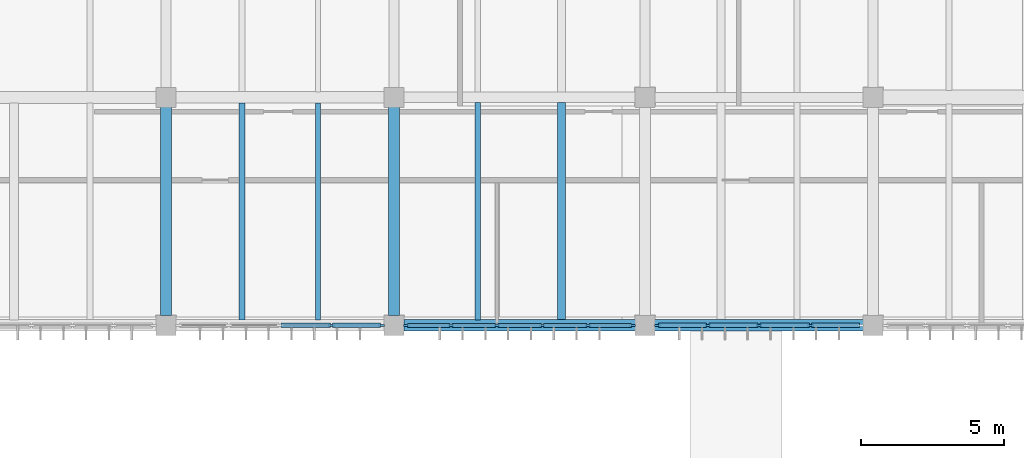
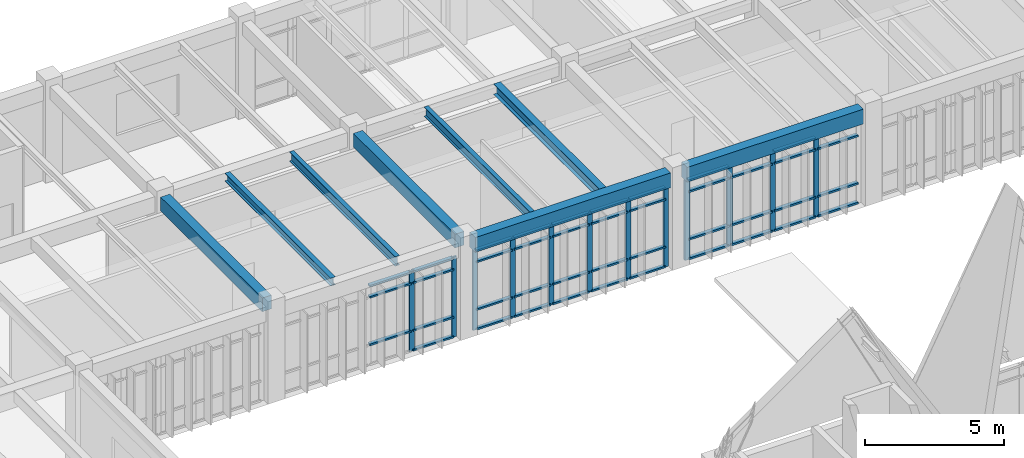
# One storey, part 9 of 72: 54 members, 8 beams, 3 elements without a shape of their own.
"""IFC4 building model written with IfcOpenShell, lengths in metres."""

import ifcopenshell
import ifcopenshell.guid

model = None  # the IFC model being written
_history = None  # IfcOwnerHistory: only IFC2X3 demands one
_inside = {}  # id of a spatial element -> (the spatial element, [elements in it])
_under = {}  # id of a project, library or spatial element -> (it, [spatial elements below it])
_declared = {}  # id of a project -> (the project, [libraries it declares])
_typed = {}  # id of a type object -> (the type object, [elements of that type])
_made_of = {}  # id of a material, layer set ... -> (it, [elements and type objects made of it])


def new_model(schema):
    """Start an empty IFC model of exactly this schema.

    Asked for "IFC4X3", IfcOpenShell would pick the latest addendum, in which some entities
    have other attributes; the version numbers below select the first issue.
    IFC2X3 requires an IfcOwnerHistory on every rooted entity: one is made here for all.
    """
    global model, _history
    if schema == "IFC4X3":
        model = ifcopenshell.file(schema_version=(4, 3, 0, 0))
    else:
        model = ifcopenshell.file(schema=schema)
    _inside.clear()
    _under.clear()
    _declared.clear()
    _typed.clear()
    _made_of.clear()
    _history = None
    if model.schema == "IFC2X3":
        org = make("IfcOrganization", Name="unknown")
        user = make(
            "IfcPersonAndOrganization",
            ThePerson=make("IfcPerson", FamilyName="unknown"),
            TheOrganization=org,
        )
        app = make(
            "IfcApplication",
            ApplicationDeveloper=org,
            Version="unknown",
            ApplicationFullName="unknown",
            ApplicationIdentifier="unknown",
        )
        _history = make(
            "IfcOwnerHistory",
            OwningUser=user,
            OwningApplication=app,
            ChangeAction="ADDED",
            CreationDate=0,
        )
    return model


def make(cls, **values):
    """One entity of the class cls with the attributes given. An attribute that is None is left unset."""
    return model.create_entity(
        cls, **{name: value for name, value in values.items() if value is not None}
    )


def rooted(cls, **values):
    """An entity with a GlobalId (a new one), such as an element, a storey or a relation."""
    return make(cls, GlobalId=ifcopenshell.guid.new(), OwnerHistory=_history, **values)


def si_unit(unit_type, name, prefix=None):
    """IfcSIUnit, for example si_unit("LENGTHUNIT", "METRE", prefix="MILLI")."""
    return make("IfcSIUnit", UnitType=unit_type, Prefix=prefix, Name=name)


def assignment(units):
    """IfcUnitAssignment: the units of a project."""
    return None if units is None else make("IfcUnitAssignment", Units=units)


def point(xyz):
    """IfcCartesianPoint."""
    return None if xyz is None else make("IfcCartesianPoint", Coordinates=xyz)


def direction(xyz):
    """IfcDirection."""
    return None if xyz is None else make("IfcDirection", DirectionRatios=xyz)


def frame(location, z_axis=None, x_axis=None):
    """IfcAxis2Placement3D, a coordinate frame: its origin and axes. An axis left out is left unset."""
    return make(
        "IfcAxis2Placement3D",
        Location=point(location),
        Axis=direction(z_axis),
        RefDirection=direction(x_axis),
    )


def frame_2d(location, x_axis=None):
    """IfcAxis2Placement2D, a coordinate frame in the plane: its origin and x axis."""
    return make(
        "IfcAxis2Placement2D", Location=point(location), RefDirection=direction(x_axis)
    )


def origin():
    """The frame at (0, 0, 0) with its axes left unset."""
    return frame((0.0, 0.0, 0.0))


def origin_2d():
    """The frame at (0, 0) in the plane with its x axis left unset."""
    return frame_2d((0.0, 0.0))


def place(relative_to, where):
    """IfcLocalPlacement: puts the frame where relative to a parent placement (None: the world)."""
    return make(
        "IfcLocalPlacement", PlacementRelTo=relative_to, RelativePlacement=where
    )


def context(
    kind, dimensions, precision=None, world=None, true_north=None, identifier=None
):
    """IfcGeometricRepresentationContext, for example the 3D "Model" context."""
    return make(
        "IfcGeometricRepresentationContext",
        ContextIdentifier=identifier,
        ContextType=kind,
        CoordinateSpaceDimension=dimensions,
        Precision=precision,
        WorldCoordinateSystem=world,
        TrueNorth=true_north,
    )


def subcontext(parent, identifier, kind, view, scale=None):
    """IfcGeometricRepresentationSubContext, for example "Body" below "Model"."""
    return make(
        "IfcGeometricRepresentationSubContext",
        ContextIdentifier=identifier,
        ContextType=kind,
        ParentContext=parent,
        TargetScale=scale,
        TargetView=view,
    )


def project(units=None, contexts=None):
    """IfcProject with its units and contexts."""
    return rooted(
        "IfcProject",
        Name="project",
        RepresentationContexts=contexts,
        UnitsInContext=assignment(units),
    )


def spatial(cls, under=None, at=None, **own):
    """A site, building, storey or space (cls), placed at a placement, below another one or the project."""
    s = rooted(cls, ObjectPlacement=at, **own)
    if under is not None:
        _under.setdefault(under.id(), (under, []))[1].append(s)
    return s


def profile(cls, at=None, kind="AREA", **sizes):
    """A parametric profile (cls). Its sizes go by their IFC names, for example OverallWidth=200.0."""
    return make(cls, ProfileType=kind, Position=at, **sizes)


def rectangle(**sizes):
    """IfcRectangleProfileDef."""
    return profile("IfcRectangleProfileDef", **sizes)


def i_section(**sizes):
    """IfcIShapeProfileDef."""
    return profile("IfcIShapeProfileDef", **sizes)


def extrude(swept, where, along, depth):
    """IfcExtrudedAreaSolid: the profile swept, set in the frame where, extruded along a direction by depth."""
    return make(
        "IfcExtrudedAreaSolid",
        SweptArea=swept,
        Position=where,
        ExtrudedDirection=direction(along),
        Depth=depth,
    )


def shape(context_of_items, identifier, shape_type, items):
    """IfcShapeRepresentation: the items that make up one representation, for example the "Body"."""
    return make(
        "IfcShapeRepresentation",
        ContextOfItems=context_of_items,
        RepresentationIdentifier=identifier,
        RepresentationType=shape_type,
        Items=items,
    )


def material(Name=None, Category=None):
    """IfcMaterial."""
    return make("IfcMaterial", Name=Name, Category=Category)


def material_profile(
    of_material, cross_section, Name=None, Category=None, Priority=None
):
    """IfcMaterialProfile: a cross section and its material."""
    return make(
        "IfcMaterialProfile",
        Name=Name,
        Material=of_material,
        Profile=cross_section,
        Priority=Priority,
        Category=Category,
    )


def profile_set(profiles, Name=None, composite=None):
    """IfcMaterialProfileSet."""
    return make(
        "IfcMaterialProfileSet",
        Name=Name,
        MaterialProfiles=profiles,
        CompositeProfile=composite,
    )


def made_of(thing, what):
    """Note that an element or type object is made of a material, layer set ...; save() writes the relation."""
    if what is not None:
        _made_of.setdefault(what.id(), (what, []))[1].append(thing)
    return thing


def type_object(cls, material=None, **own):
    """A type object (cls), such as IfcWallType, which elements share."""
    return made_of(rooted(cls, **own), material)


def element(
    cls,
    number,
    at=None,
    inside=None,
    cuts=None,
    type_object=None,
    material=None,
    context=None,
    identifier="Body",
    shape_type=None,
    held_by="IfcProductDefinitionShape",
    body=None,
    shapes=None,
    **own,
):
    """One element of the class cls, such as IfcWall. Its Tag is "e" and its number.

    at: its placement. inside: the storey or other place that contains it. cuts: it is an
    opening in that element (IfcRelVoidsElement). A single representation is given by context,
    identifier, shape_type and body (its items); several are given by shapes. held_by: the class
    of the entity that holds the representations. save() writes the other relations.
    """
    e = rooted(cls, Tag="e%d" % number, ObjectPlacement=at, **own)
    if body is not None:
        shapes = [shape(context, identifier, shape_type, body)]
    if shapes is not None:
        e.Representation = make(held_by, Representations=shapes)
    if inside is not None:
        _inside.setdefault(inside.id(), (inside, []))[1].append(e)
    if cuts is not None:
        rooted(
            "IfcRelVoidsElement", RelatingBuildingElement=cuts, RelatedOpeningElement=e
        )
    if type_object is not None:
        _typed.setdefault(type_object.id(), (type_object, []))[1].append(e)
    return made_of(e, material)


def aggregate(whole, parts):
    """IfcRelAggregates: a whole, such as a stair, and the parts it consists of."""
    return rooted("IfcRelAggregates", RelatingObject=whole, RelatedObjects=parts)


def save(model, path):
    """Write the relations noted so far, then the file.

    IfcRelAggregates (storeys below a building ...), IfcRelContainedInSpatialStructure (elements
    in a storey), IfcRelDefinesByType, IfcRelAssociatesMaterial and IfcRelDeclares: one each for
    every whole, place, type object, material and project.
    """
    for whole, parts in _under.values():
        aggregate(whole, parts)
    for where, things in _inside.values():
        rooted(
            "IfcRelContainedInSpatialStructure",
            RelatedElements=things,
            RelatingStructure=where,
        )
    for kind, things in _typed.values():
        rooted("IfcRelDefinesByType", RelatedObjects=things, RelatingType=kind)
    for what, things in _made_of.values():
        rooted("IfcRelAssociatesMaterial", RelatedObjects=things, RelatingMaterial=what)
    for by, libraries in _declared.values():
        rooted("IfcRelDeclares", RelatingContext=by, RelatedDefinitions=libraries)
    model.write(path)


model = new_model("IFC4")

# Units and contexts
model_context = context("Model", 3, precision=1e-05, world=origin(), true_north=direction((0.0, 1.0)))
body_context = subcontext(model_context, "Body", "Model", "MODEL_VIEW")
ifc_project = project(units=[si_unit("LENGTHUNIT", "METRE"), si_unit("AREAUNIT", "SQUARE_METRE"), si_unit("VOLUMEUNIT", "CUBIC_METRE"), si_unit("PLANEANGLEUNIT", "RADIAN"), si_unit("MASSUNIT", "GRAM", prefix="KILO")], contexts=[model_context])

# Site, building, storey
site_placement = place(None, origin())
site = spatial("IfcSite", under=ifc_project, at=site_placement, CompositionType="ELEMENT")
building_placement = place(site_placement, origin())
building = spatial("IfcBuilding", under=site, at=building_placement, Name="Tlaxcora Railside Police Headquarters", CompositionType="ELEMENT")
storey_placement = place(building_placement, frame((0.0, 0.0, 13.5)))
storey = spatial("IfcBuildingStorey", under=building, at=storey_placement, Name="L03", CompositionType="ELEMENT", Elevation=13.5)

# Curtain wall, members
ifc_material_1 = material(Name="Thermally broken low-E insulated glazing", Category="glass")
curtain_wall_type_1 = type_object("IfcCurtainWallType", Name="Unitised Curtain Wall Assembly CW-38", PredefinedType="NOTDEFINED", material=ifc_material_1)
curtain_wall_1_placement = place(storey_placement, origin())
curtain_wall_1 = element("IfcCurtainWall", 1, at=curtain_wall_1_placement, inside=storey, type_object=curtain_wall_type_1, Name="V5 L03 curtain wall 73", PredefinedType="NOTDEFINED")
ifc_material_2 = material(Name="Anodised aluminium framing", Category="aluminium")
ifc_material_profile_1 = material_profile(ifc_material_2, rectangle(XDim=0.074951171875, YDim=0.205078125, at=origin_2d()), Name="AL75X205")
ifc_profile_set_1 = profile_set([ifc_material_profile_1], Name="Anodised aluminium framing")
member_type_1 = type_object("IfcMemberType", Name="Curtain Wall Mullion CW-32", PredefinedType="MULLION", material=ifc_profile_set_1)
member_1_placement = place(storey_placement, frame((43.0, 76.800048828125, 0.0), z_axis=(0.0, 0.0, 1.0), x_axis=(0.0, 1.0, 0.0)))
member_1 = element("IfcMember", 2, at=member_1_placement, type_object=member_type_1, Name="CW mullion 4", PredefinedType="MULLION", context=body_context, shape_type="SweptSolid", body=[
    extrude(rectangle(XDim=0.074951171875, YDim=0.205078125, at=origin_2d()), origin(), (0.0, 0.0, 1.0), 3.52001953125),
])
member_2_placement = place(storey_placement, frame((44.762451171875, 76.800048828125, 0.0), z_axis=(0.0, 0.0, 1.0), x_axis=(0.0, 1.0, 0.0)))
member_2 = element("IfcMember", 3, at=member_2_placement, type_object=member_type_1, Name="CW mullion 5", PredefinedType="MULLION", context=body_context, shape_type="SweptSolid", body=[
    extrude(rectangle(XDim=0.074951171875, YDim=0.205078125, at=origin_2d()), origin(), (0.0, 0.0, 1.0), 3.52001953125),
])

curtain_wall_type_2 = type_object("IfcCurtainWallType", Name="Unitised Curtain Wall Assembly CW-15", PredefinedType="NOTDEFINED", material=ifc_material_1)
curtain_wall_2_placement = place(storey_placement, origin())
curtain_wall_2 = element("IfcCurtainWall", 4, at=curtain_wall_2_placement, inside=storey, type_object=curtain_wall_type_2, Name="V5 L03 curtain wall 74", PredefinedType="NOTDEFINED")
ifc_material_profile_2 = material_profile(ifc_material_2, rectangle(XDim=0.074951171875, YDim=0.199951171875, at=origin_2d()), Name="AL75X200")
ifc_profile_set_2 = profile_set([ifc_material_profile_2], Name="Anodised aluminium framing")
member_type_2 = type_object("IfcMemberType", Name="Curtain Wall Mullion CW-58", PredefinedType="MULLION", material=ifc_profile_set_2)
member_3_placement = place(storey_placement, frame((45.637451171875, 76.800048828125, 0.0), z_axis=(0.0, 0.0, 1.0), x_axis=(0.0, 1.0, 0.0)))
member_3 = element("IfcMember", 5, at=member_3_placement, type_object=member_type_2, Name="CW mullion 1", PredefinedType="MULLION", context=body_context, shape_type="SweptSolid", body=[
    extrude(rectangle(XDim=0.074951171875, YDim=0.199951171875, at=origin_2d()), origin(), (0.0, 0.0, 1.0), 3.52001953125),
])
member_4_placement = place(storey_placement, frame((47.199951171875, 76.800048828125, 0.0), z_axis=(0.0, 0.0, 1.0), x_axis=(0.0, 1.0, 0.0)))
member_4 = element("IfcMember", 6, at=member_4_placement, type_object=member_type_2, Name="CW mullion 2", PredefinedType="MULLION", context=body_context, shape_type="SweptSolid", body=[
    extrude(rectangle(XDim=0.074951171875, YDim=0.199951171875, at=origin_2d()), origin(), (0.0, 0.0, 1.0), 3.52001953125),
])
member_5_placement = place(storey_placement, frame((48.800048828125, 76.800048828125, 0.0), z_axis=(0.0, 0.0, 1.0), x_axis=(0.0, 1.0, 0.0)))
member_5 = element("IfcMember", 7, at=member_5_placement, type_object=member_type_2, Name="CW mullion 3", PredefinedType="MULLION", context=body_context, shape_type="SweptSolid", body=[
    extrude(rectangle(XDim=0.074951171875, YDim=0.199951171875, at=origin_2d()), origin(), (0.0, 0.0, 1.0), 3.52001953125),
])
member_6_placement = place(storey_placement, frame((50.39990234375, 76.800048828125, 0.0), z_axis=(0.0, 0.0, 1.0), x_axis=(0.0, 1.0, 0.0)))
member_6 = element("IfcMember", 8, at=member_6_placement, type_object=member_type_2, Name="CW mullion 4", PredefinedType="MULLION", context=body_context, shape_type="SweptSolid", body=[
    extrude(rectangle(XDim=0.074951171875, YDim=0.199951171875, at=origin_2d()), origin(), (0.0, 0.0, 1.0), 3.52001953125),
])
member_7_placement = place(storey_placement, frame((52.0, 76.800048828125, 0.0), z_axis=(0.0, 0.0, 1.0), x_axis=(0.0, 1.0, 0.0)))
member_7 = element("IfcMember", 9, at=member_7_placement, type_object=member_type_2, Name="CW mullion 5", PredefinedType="MULLION", context=body_context, shape_type="SweptSolid", body=[
    extrude(rectangle(XDim=0.074951171875, YDim=0.199951171875, at=origin_2d()), origin(), (0.0, 0.0, 1.0), 3.52001953125),
])
member_8_placement = place(storey_placement, frame((53.5625, 76.800048828125, 0.0), z_axis=(0.0, 0.0, 1.0), x_axis=(0.0, 1.0, 0.0)))
member_8 = element("IfcMember", 10, at=member_8_placement, type_object=member_type_2, Name="CW mullion 6", PredefinedType="MULLION", context=body_context, shape_type="SweptSolid", body=[
    extrude(rectangle(XDim=0.074951171875, YDim=0.199951171875, at=origin_2d()), origin(), (0.0, 0.0, 1.0), 3.52001953125),
])

curtain_wall_type_3 = type_object("IfcCurtainWallType", Name="Unitised Curtain Wall Assembly CW-83", PredefinedType="NOTDEFINED", material=ifc_material_1)
curtain_wall_3_placement = place(storey_placement, origin())
curtain_wall_3 = element("IfcCurtainWall", 11, at=curtain_wall_3_placement, inside=storey, type_object=curtain_wall_type_3, Name="V5 L03 curtain wall 75", PredefinedType="NOTDEFINED")
ifc_material_profile_3 = material_profile(ifc_material_2, rectangle(XDim=0.080078125, YDim=0.2099609375, at=origin_2d()), Name="AL80X210")
ifc_profile_set_3 = profile_set([ifc_material_profile_3], Name="Anodised aluminium framing")
member_type_3 = type_object("IfcMemberType", Name="Curtain Wall Mullion CW-76", PredefinedType="MULLION", material=ifc_profile_set_3)
member_9_placement = place(storey_placement, frame((54.43994140625, 76.800048828125, 0.0), z_axis=(0.0, 0.0, 1.0), x_axis=(0.0, 1.0, 0.0)))
member_9 = element("IfcMember", 12, at=member_9_placement, type_object=member_type_3, Name="CW mullion 1", PredefinedType="MULLION", context=body_context, shape_type="SweptSolid", body=[
    extrude(rectangle(XDim=0.080078125, YDim=0.2099609375, at=origin_2d()), origin(), (0.0, 0.0, 1.0), 3.52001953125),
])
member_10_placement = place(storey_placement, frame((56.199951171875, 76.800048828125, 0.0), z_axis=(0.0, 0.0, 1.0), x_axis=(0.0, 1.0, 0.0)))
member_10 = element("IfcMember", 13, at=member_10_placement, type_object=member_type_3, Name="CW mullion 2", PredefinedType="MULLION", context=body_context, shape_type="SweptSolid", body=[
    extrude(rectangle(XDim=0.080078125, YDim=0.2099609375, at=origin_2d()), origin(), (0.0, 0.0, 1.0), 3.52001953125),
])
member_11_placement = place(storey_placement, frame((58.0, 76.800048828125, 0.0), z_axis=(0.0, 0.0, 1.0), x_axis=(0.0, 1.0, 0.0)))
member_11 = element("IfcMember", 14, at=member_11_placement, type_object=member_type_3, Name="CW mullion 3", PredefinedType="MULLION", context=body_context, shape_type="SweptSolid", body=[
    extrude(rectangle(XDim=0.080078125, YDim=0.2099609375, at=origin_2d()), origin(), (0.0, 0.0, 1.0), 3.52001953125),
])
member_12_placement = place(storey_placement, frame((59.800048828125, 76.800048828125, 0.0), z_axis=(0.0, 0.0, 1.0), x_axis=(0.0, 1.0, 0.0)))
member_12 = element("IfcMember", 15, at=member_12_placement, type_object=member_type_3, Name="CW mullion 4", PredefinedType="MULLION", context=body_context, shape_type="SweptSolid", body=[
    extrude(rectangle(XDim=0.080078125, YDim=0.2099609375, at=origin_2d()), origin(), (0.0, 0.0, 1.0), 3.52001953125),
])

# Member
ifc_material_profile_4 = material_profile(ifc_material_2, rectangle(XDim=0.14990234375, YDim=0.074951171875, at=origin_2d()), Name="AL75X150")
ifc_profile_set_4 = profile_set([ifc_material_profile_4], Name="Anodised aluminium framing")
member_type_4 = type_object("IfcMemberType", Name="Curtain Wall Transom CW-28", PredefinedType="USERDEFINED", material=ifc_profile_set_4)
member_13_placement = place(storey_placement, frame((45.675048828125, 76.800048828125, 0.03759765625), z_axis=(1.0, 0.0, 0.0), x_axis=(0.0, 1.0, 0.0)))
member_13 = element("IfcMember", 16, at=member_13_placement, type_object=member_type_4, Name="CW transom 1.1", ObjectType="TRANSOM", PredefinedType="USERDEFINED", context=body_context, shape_type="SweptSolid", body=[
    extrude(rectangle(XDim=0.14990234375, YDim=0.074951171875, at=origin_2d()), origin(), (0.0, 0.0, 1.0), 1.487548828125),
])

member_14_placement = place(storey_placement, frame((45.675048828125, 76.800048828125, 0.89990234375), z_axis=(1.0, 0.0, 0.0), x_axis=(0.0, 1.0, 0.0)))
member_14 = element("IfcMember", 17, at=member_14_placement, type_object=member_type_4, Name="CW transom 1.2", ObjectType="TRANSOM", PredefinedType="USERDEFINED", context=body_context, shape_type="SweptSolid", body=[
    extrude(rectangle(XDim=0.14990234375, YDim=0.074951171875, at=origin_2d()), origin(), (0.0, 0.0, 1.0), 1.487548828125),
])

member_15_placement = place(storey_placement, frame((45.675048828125, 76.800048828125, 2.989990234375), z_axis=(1.0, 0.0, 0.0), x_axis=(0.0, 1.0, 0.0)))
member_15 = element("IfcMember", 18, at=member_15_placement, type_object=member_type_4, Name="CW transom 1.3", ObjectType="TRANSOM", PredefinedType="USERDEFINED", context=body_context, shape_type="SweptSolid", body=[
    extrude(rectangle(XDim=0.14990234375, YDim=0.074951171875, at=origin_2d()), origin(), (0.0, 0.0, 1.0), 1.487548828125),
])

member_16_placement = place(storey_placement, frame((45.675048828125, 76.800048828125, 3.482421875), z_axis=(1.0, 0.0, 0.0), x_axis=(0.0, 1.0, 0.0)))
member_16 = element("IfcMember", 19, at=member_16_placement, type_object=member_type_4, Name="CW transom 1.4", ObjectType="TRANSOM", PredefinedType="USERDEFINED", context=body_context, shape_type="SweptSolid", body=[
    extrude(rectangle(XDim=0.14990234375, YDim=0.074951171875, at=origin_2d()), origin(), (0.0, 0.0, 1.0), 1.487548828125),
])

member_17_placement = place(storey_placement, frame((47.237548828125, 76.800048828125, 0.03759765625), z_axis=(1.0, 0.0, 0.0), x_axis=(0.0, 1.0, 0.0)))
member_17 = element("IfcMember", 20, at=member_17_placement, type_object=member_type_4, Name="CW transom 2.1", ObjectType="TRANSOM", PredefinedType="USERDEFINED", context=body_context, shape_type="SweptSolid", body=[
    extrude(rectangle(XDim=0.14990234375, YDim=0.074951171875, at=origin_2d()), origin(), (0.0, 0.0, 1.0), 1.52490234375),
])

member_18_placement = place(storey_placement, frame((47.237548828125, 76.800048828125, 0.89990234375), z_axis=(1.0, 0.0, 0.0), x_axis=(0.0, 1.0, 0.0)))
member_18 = element("IfcMember", 21, at=member_18_placement, type_object=member_type_4, Name="CW transom 2.2", ObjectType="TRANSOM", PredefinedType="USERDEFINED", context=body_context, shape_type="SweptSolid", body=[
    extrude(rectangle(XDim=0.14990234375, YDim=0.074951171875, at=origin_2d()), origin(), (0.0, 0.0, 1.0), 1.52490234375),
])

member_19_placement = place(storey_placement, frame((47.237548828125, 76.800048828125, 2.989990234375), z_axis=(1.0, 0.0, 0.0), x_axis=(0.0, 1.0, 0.0)))
member_19 = element("IfcMember", 22, at=member_19_placement, type_object=member_type_4, Name="CW transom 2.3", ObjectType="TRANSOM", PredefinedType="USERDEFINED", context=body_context, shape_type="SweptSolid", body=[
    extrude(rectangle(XDim=0.14990234375, YDim=0.074951171875, at=origin_2d()), origin(), (0.0, 0.0, 1.0), 1.52490234375),
])

member_20_placement = place(storey_placement, frame((47.237548828125, 76.800048828125, 3.482421875), z_axis=(1.0, 0.0, 0.0), x_axis=(0.0, 1.0, 0.0)))
member_20 = element("IfcMember", 23, at=member_20_placement, type_object=member_type_4, Name="CW transom 2.4", ObjectType="TRANSOM", PredefinedType="USERDEFINED", context=body_context, shape_type="SweptSolid", body=[
    extrude(rectangle(XDim=0.14990234375, YDim=0.074951171875, at=origin_2d()), origin(), (0.0, 0.0, 1.0), 1.52490234375),
])

member_21_placement = place(storey_placement, frame((48.83740234375, 76.800048828125, 0.03759765625), z_axis=(1.0, 0.0, 0.0), x_axis=(0.0, 1.0, 0.0)))
member_21 = element("IfcMember", 24, at=member_21_placement, type_object=member_type_4, Name="CW transom 3.1", ObjectType="TRANSOM", PredefinedType="USERDEFINED", context=body_context, shape_type="SweptSolid", body=[
    extrude(rectangle(XDim=0.14990234375, YDim=0.074951171875, at=origin_2d()), origin(), (0.0, 0.0, 1.0), 1.525146484375),
])

member_22_placement = place(storey_placement, frame((48.83740234375, 76.800048828125, 0.89990234375), z_axis=(1.0, 0.0, 0.0), x_axis=(0.0, 1.0, 0.0)))
member_22 = element("IfcMember", 25, at=member_22_placement, type_object=member_type_4, Name="CW transom 3.2", ObjectType="TRANSOM", PredefinedType="USERDEFINED", context=body_context, shape_type="SweptSolid", body=[
    extrude(rectangle(XDim=0.14990234375, YDim=0.074951171875, at=origin_2d()), origin(), (0.0, 0.0, 1.0), 1.525146484375),
])

member_23_placement = place(storey_placement, frame((48.83740234375, 76.800048828125, 2.989990234375), z_axis=(1.0, 0.0, 0.0), x_axis=(0.0, 1.0, 0.0)))
member_23 = element("IfcMember", 26, at=member_23_placement, type_object=member_type_4, Name="CW transom 3.3", ObjectType="TRANSOM", PredefinedType="USERDEFINED", context=body_context, shape_type="SweptSolid", body=[
    extrude(rectangle(XDim=0.14990234375, YDim=0.074951171875, at=origin_2d()), origin(), (0.0, 0.0, 1.0), 1.525146484375),
])

member_24_placement = place(storey_placement, frame((48.83740234375, 76.800048828125, 3.482421875), z_axis=(1.0, 0.0, 0.0), x_axis=(0.0, 1.0, 0.0)))
member_24 = element("IfcMember", 27, at=member_24_placement, type_object=member_type_4, Name="CW transom 3.4", ObjectType="TRANSOM", PredefinedType="USERDEFINED", context=body_context, shape_type="SweptSolid", body=[
    extrude(rectangle(XDim=0.14990234375, YDim=0.074951171875, at=origin_2d()), origin(), (0.0, 0.0, 1.0), 1.525146484375),
])

member_25_placement = place(storey_placement, frame((50.4375, 76.800048828125, 0.03759765625), z_axis=(1.0, 0.0, 0.0), x_axis=(0.0, 1.0, 0.0)))
member_25 = element("IfcMember", 28, at=member_25_placement, type_object=member_type_4, Name="CW transom 4.1", ObjectType="TRANSOM", PredefinedType="USERDEFINED", context=body_context, shape_type="SweptSolid", body=[
    extrude(rectangle(XDim=0.14990234375, YDim=0.074951171875, at=origin_2d()), origin(), (0.0, 0.0, 1.0), 1.52490234375),
])

member_26_placement = place(storey_placement, frame((50.4375, 76.800048828125, 0.89990234375), z_axis=(1.0, 0.0, 0.0), x_axis=(0.0, 1.0, 0.0)))
member_26 = element("IfcMember", 29, at=member_26_placement, type_object=member_type_4, Name="CW transom 4.2", ObjectType="TRANSOM", PredefinedType="USERDEFINED", context=body_context, shape_type="SweptSolid", body=[
    extrude(rectangle(XDim=0.14990234375, YDim=0.074951171875, at=origin_2d()), origin(), (0.0, 0.0, 1.0), 1.52490234375),
])

member_27_placement = place(storey_placement, frame((50.4375, 76.800048828125, 2.989990234375), z_axis=(1.0, 0.0, 0.0), x_axis=(0.0, 1.0, 0.0)))
member_27 = element("IfcMember", 30, at=member_27_placement, type_object=member_type_4, Name="CW transom 4.3", ObjectType="TRANSOM", PredefinedType="USERDEFINED", context=body_context, shape_type="SweptSolid", body=[
    extrude(rectangle(XDim=0.14990234375, YDim=0.074951171875, at=origin_2d()), origin(), (0.0, 0.0, 1.0), 1.52490234375),
])

member_28_placement = place(storey_placement, frame((50.4375, 76.800048828125, 3.482421875), z_axis=(1.0, 0.0, 0.0), x_axis=(0.0, 1.0, 0.0)))
member_28 = element("IfcMember", 31, at=member_28_placement, type_object=member_type_4, Name="CW transom 4.4", ObjectType="TRANSOM", PredefinedType="USERDEFINED", context=body_context, shape_type="SweptSolid", body=[
    extrude(rectangle(XDim=0.14990234375, YDim=0.074951171875, at=origin_2d()), origin(), (0.0, 0.0, 1.0), 1.52490234375),
])

member_29_placement = place(storey_placement, frame((52.03759765625, 76.800048828125, 0.03759765625), z_axis=(1.0, 0.0, 0.0), x_axis=(0.0, 1.0, 0.0)))
member_29 = element("IfcMember", 32, at=member_29_placement, type_object=member_type_4, Name="CW transom 5.1", ObjectType="TRANSOM", PredefinedType="USERDEFINED", context=body_context, shape_type="SweptSolid", body=[
    extrude(rectangle(XDim=0.14990234375, YDim=0.074951171875, at=origin_2d()), origin(), (0.0, 0.0, 1.0), 1.4873046875),
])

member_30_placement = place(storey_placement, frame((52.03759765625, 76.800048828125, 0.89990234375), z_axis=(1.0, 0.0, 0.0), x_axis=(0.0, 1.0, 0.0)))
member_30 = element("IfcMember", 33, at=member_30_placement, type_object=member_type_4, Name="CW transom 5.2", ObjectType="TRANSOM", PredefinedType="USERDEFINED", context=body_context, shape_type="SweptSolid", body=[
    extrude(rectangle(XDim=0.14990234375, YDim=0.074951171875, at=origin_2d()), origin(), (0.0, 0.0, 1.0), 1.4873046875),
])

member_31_placement = place(storey_placement, frame((52.03759765625, 76.800048828125, 2.989990234375), z_axis=(1.0, 0.0, 0.0), x_axis=(0.0, 1.0, 0.0)))
member_31 = element("IfcMember", 34, at=member_31_placement, type_object=member_type_4, Name="CW transom 5.3", ObjectType="TRANSOM", PredefinedType="USERDEFINED", context=body_context, shape_type="SweptSolid", body=[
    extrude(rectangle(XDim=0.14990234375, YDim=0.074951171875, at=origin_2d()), origin(), (0.0, 0.0, 1.0), 1.4873046875),
])

member_32_placement = place(storey_placement, frame((52.03759765625, 76.800048828125, 3.482421875), z_axis=(1.0, 0.0, 0.0), x_axis=(0.0, 1.0, 0.0)))
member_32 = element("IfcMember", 35, at=member_32_placement, type_object=member_type_4, Name="CW transom 5.4", ObjectType="TRANSOM", PredefinedType="USERDEFINED", context=body_context, shape_type="SweptSolid", body=[
    extrude(rectangle(XDim=0.14990234375, YDim=0.074951171875, at=origin_2d()), origin(), (0.0, 0.0, 1.0), 1.4873046875),
])

aggregate(curtain_wall_2, [member_3, member_4, member_5, member_6, member_7, member_8, member_13, member_14, member_15, member_16, member_17, member_18, member_19, member_20, member_21, member_22, member_23, member_24, member_25, member_26, member_27, member_28, member_29, member_30, member_31, member_32])

ifc_material_profile_5 = material_profile(ifc_material_2, rectangle(XDim=0.155029296875, YDim=0.074951171875, at=origin_2d()), Name="AL75X155")
ifc_profile_set_5 = profile_set([ifc_material_profile_5], Name="Anodised aluminium framing")
member_type_5 = type_object("IfcMemberType", Name="Curtain Wall Transom CW-30", PredefinedType="USERDEFINED", material=ifc_profile_set_5)
member_33_placement = place(storey_placement, frame((41.237548828125, 76.800048828125, 0.89990234375), z_axis=(1.0, 0.0, 0.0), x_axis=(0.0, 1.0, 0.0)))
member_33 = element("IfcMember", 36, at=member_33_placement, type_object=member_type_5, Name="CW transom 3.2", ObjectType="TRANSOM", PredefinedType="USERDEFINED", context=body_context, shape_type="SweptSolid", body=[
    extrude(rectangle(XDim=0.155029296875, YDim=0.074951171875, at=origin_2d()), origin(), (0.0, 0.0, 1.0), 1.724853515625),
])

member_34_placement = place(storey_placement, frame((41.237548828125, 76.800048828125, 2.989990234375), z_axis=(1.0, 0.0, 0.0), x_axis=(0.0, 1.0, 0.0)))
member_34 = element("IfcMember", 37, at=member_34_placement, type_object=member_type_5, Name="CW transom 3.3", ObjectType="TRANSOM", PredefinedType="USERDEFINED", context=body_context, shape_type="SweptSolid", body=[
    extrude(rectangle(XDim=0.155029296875, YDim=0.074951171875, at=origin_2d()), origin(), (0.0, 0.0, 1.0), 1.724853515625),
])

member_35_placement = place(storey_placement, frame((41.237548828125, 76.800048828125, 3.482421875), z_axis=(1.0, 0.0, 0.0), x_axis=(0.0, 1.0, 0.0)))
member_35 = element("IfcMember", 38, at=member_35_placement, type_object=member_type_5, Name="CW transom 3.4", ObjectType="TRANSOM", PredefinedType="USERDEFINED", context=body_context, shape_type="SweptSolid", body=[
    extrude(rectangle(XDim=0.155029296875, YDim=0.074951171875, at=origin_2d()), origin(), (0.0, 0.0, 1.0), 1.724853515625),
])

member_36_placement = place(storey_placement, frame((43.03759765625, 76.800048828125, 0.03759765625), z_axis=(1.0, 0.0, 0.0), x_axis=(0.0, 1.0, 0.0)))
member_36 = element("IfcMember", 39, at=member_36_placement, type_object=member_type_5, Name="CW transom 4.1", ObjectType="TRANSOM", PredefinedType="USERDEFINED", context=body_context, shape_type="SweptSolid", body=[
    extrude(rectangle(XDim=0.155029296875, YDim=0.074951171875, at=origin_2d()), origin(), (0.0, 0.0, 1.0), 1.6875),
])

member_37_placement = place(storey_placement, frame((43.03759765625, 76.800048828125, 0.89990234375), z_axis=(1.0, 0.0, 0.0), x_axis=(0.0, 1.0, 0.0)))
member_37 = element("IfcMember", 40, at=member_37_placement, type_object=member_type_5, Name="CW transom 4.2", ObjectType="TRANSOM", PredefinedType="USERDEFINED", context=body_context, shape_type="SweptSolid", body=[
    extrude(rectangle(XDim=0.155029296875, YDim=0.074951171875, at=origin_2d()), origin(), (0.0, 0.0, 1.0), 1.6875),
])

member_38_placement = place(storey_placement, frame((43.03759765625, 76.800048828125, 2.989990234375), z_axis=(1.0, 0.0, 0.0), x_axis=(0.0, 1.0, 0.0)))
member_38 = element("IfcMember", 41, at=member_38_placement, type_object=member_type_5, Name="CW transom 4.3", ObjectType="TRANSOM", PredefinedType="USERDEFINED", context=body_context, shape_type="SweptSolid", body=[
    extrude(rectangle(XDim=0.155029296875, YDim=0.074951171875, at=origin_2d()), origin(), (0.0, 0.0, 1.0), 1.6875),
])

member_39_placement = place(storey_placement, frame((43.03759765625, 76.800048828125, 3.482421875), z_axis=(1.0, 0.0, 0.0), x_axis=(0.0, 1.0, 0.0)))
member_39 = element("IfcMember", 42, at=member_39_placement, type_object=member_type_5, Name="CW transom 4.4", ObjectType="TRANSOM", PredefinedType="USERDEFINED", context=body_context, shape_type="SweptSolid", body=[
    extrude(rectangle(XDim=0.155029296875, YDim=0.074951171875, at=origin_2d()), origin(), (0.0, 0.0, 1.0), 1.6875),
])

aggregate(curtain_wall_1, [member_1, member_2, member_33, member_34, member_35, member_36, member_37, member_38, member_39])

ifc_material_profile_6 = material_profile(ifc_material_2, rectangle(XDim=0.159912109375, YDim=0.080078125, at=origin_2d()), Name="AL80X160")
ifc_profile_set_6 = profile_set([ifc_material_profile_6], Name="Anodised aluminium framing")
member_type_6 = type_object("IfcMemberType", Name="Curtain Wall Transom CW-82", PredefinedType="USERDEFINED", material=ifc_profile_set_6)
member_40_placement = place(storey_placement, frame((54.47998046875, 76.800048828125, 0.0400390625), z_axis=(1.0, 0.0, 0.0), x_axis=(0.0, 1.0, 0.0)))
member_40 = element("IfcMember", 43, at=member_40_placement, type_object=member_type_6, Name="CW transom 1.1", ObjectType="TRANSOM", PredefinedType="USERDEFINED", context=body_context, shape_type="SweptSolid", body=[
    extrude(rectangle(XDim=0.159912109375, YDim=0.080078125, at=origin_2d()), origin(), (0.0, 0.0, 1.0), 1.679931640625),
])

member_41_placement = place(storey_placement, frame((54.47998046875, 76.800048828125, 0.89990234375), z_axis=(1.0, 0.0, 0.0), x_axis=(0.0, 1.0, 0.0)))
member_41 = element("IfcMember", 44, at=member_41_placement, type_object=member_type_6, Name="CW transom 1.2", ObjectType="TRANSOM", PredefinedType="USERDEFINED", context=body_context, shape_type="SweptSolid", body=[
    extrude(rectangle(XDim=0.159912109375, YDim=0.080078125, at=origin_2d()), origin(), (0.0, 0.0, 1.0), 1.679931640625),
])

member_42_placement = place(storey_placement, frame((54.47998046875, 76.800048828125, 2.989990234375), z_axis=(1.0, 0.0, 0.0), x_axis=(0.0, 1.0, 0.0)))
member_42 = element("IfcMember", 45, at=member_42_placement, type_object=member_type_6, Name="CW transom 1.3", ObjectType="TRANSOM", PredefinedType="USERDEFINED", context=body_context, shape_type="SweptSolid", body=[
    extrude(rectangle(XDim=0.159912109375, YDim=0.080078125, at=origin_2d()), origin(), (0.0, 0.0, 1.0), 1.679931640625),
])

member_43_placement = place(storey_placement, frame((54.47998046875, 76.800048828125, 3.47998046875), z_axis=(1.0, 0.0, 0.0), x_axis=(0.0, 1.0, 0.0)))
member_43 = element("IfcMember", 46, at=member_43_placement, type_object=member_type_6, Name="CW transom 1.4", ObjectType="TRANSOM", PredefinedType="USERDEFINED", context=body_context, shape_type="SweptSolid", body=[
    extrude(rectangle(XDim=0.159912109375, YDim=0.080078125, at=origin_2d()), origin(), (0.0, 0.0, 1.0), 1.679931640625),
])

member_44_placement = place(storey_placement, frame((56.239990234375, 76.800048828125, 0.0400390625), z_axis=(1.0, 0.0, 0.0), x_axis=(0.0, 1.0, 0.0)))
member_44 = element("IfcMember", 47, at=member_44_placement, type_object=member_type_6, Name="CW transom 2.1", ObjectType="TRANSOM", PredefinedType="USERDEFINED", context=body_context, shape_type="SweptSolid", body=[
    extrude(rectangle(XDim=0.159912109375, YDim=0.080078125, at=origin_2d()), origin(), (0.0, 0.0, 1.0), 1.719970703125),
])

member_45_placement = place(storey_placement, frame((56.239990234375, 76.800048828125, 0.89990234375), z_axis=(1.0, 0.0, 0.0), x_axis=(0.0, 1.0, 0.0)))
member_45 = element("IfcMember", 48, at=member_45_placement, type_object=member_type_6, Name="CW transom 2.2", ObjectType="TRANSOM", PredefinedType="USERDEFINED", context=body_context, shape_type="SweptSolid", body=[
    extrude(rectangle(XDim=0.159912109375, YDim=0.080078125, at=origin_2d()), origin(), (0.0, 0.0, 1.0), 1.719970703125),
])

member_46_placement = place(storey_placement, frame((56.239990234375, 76.800048828125, 2.989990234375), z_axis=(1.0, 0.0, 0.0), x_axis=(0.0, 1.0, 0.0)))
member_46 = element("IfcMember", 49, at=member_46_placement, type_object=member_type_6, Name="CW transom 2.3", ObjectType="TRANSOM", PredefinedType="USERDEFINED", context=body_context, shape_type="SweptSolid", body=[
    extrude(rectangle(XDim=0.159912109375, YDim=0.080078125, at=origin_2d()), origin(), (0.0, 0.0, 1.0), 1.719970703125),
])

member_47_placement = place(storey_placement, frame((56.239990234375, 76.800048828125, 3.47998046875), z_axis=(1.0, 0.0, 0.0), x_axis=(0.0, 1.0, 0.0)))
member_47 = element("IfcMember", 50, at=member_47_placement, type_object=member_type_6, Name="CW transom 2.4", ObjectType="TRANSOM", PredefinedType="USERDEFINED", context=body_context, shape_type="SweptSolid", body=[
    extrude(rectangle(XDim=0.159912109375, YDim=0.080078125, at=origin_2d()), origin(), (0.0, 0.0, 1.0), 1.719970703125),
])

member_48_placement = place(storey_placement, frame((58.0400390625, 76.800048828125, 0.0400390625), z_axis=(1.0, 0.0, 0.0), x_axis=(0.0, 1.0, 0.0)))
member_48 = element("IfcMember", 51, at=member_48_placement, type_object=member_type_6, Name="CW transom 3.1", ObjectType="TRANSOM", PredefinedType="USERDEFINED", context=body_context, shape_type="SweptSolid", body=[
    extrude(rectangle(XDim=0.159912109375, YDim=0.080078125, at=origin_2d()), origin(), (0.0, 0.0, 1.0), 1.719970703125),
])

member_49_placement = place(storey_placement, frame((58.0400390625, 76.800048828125, 0.89990234375), z_axis=(1.0, 0.0, 0.0), x_axis=(0.0, 1.0, 0.0)))
member_49 = element("IfcMember", 52, at=member_49_placement, type_object=member_type_6, Name="CW transom 3.2", ObjectType="TRANSOM", PredefinedType="USERDEFINED", context=body_context, shape_type="SweptSolid", body=[
    extrude(rectangle(XDim=0.159912109375, YDim=0.080078125, at=origin_2d()), origin(), (0.0, 0.0, 1.0), 1.719970703125),
])

member_50_placement = place(storey_placement, frame((58.0400390625, 76.800048828125, 2.989990234375), z_axis=(1.0, 0.0, 0.0), x_axis=(0.0, 1.0, 0.0)))
member_50 = element("IfcMember", 53, at=member_50_placement, type_object=member_type_6, Name="CW transom 3.3", ObjectType="TRANSOM", PredefinedType="USERDEFINED", context=body_context, shape_type="SweptSolid", body=[
    extrude(rectangle(XDim=0.159912109375, YDim=0.080078125, at=origin_2d()), origin(), (0.0, 0.0, 1.0), 1.719970703125),
])

member_51_placement = place(storey_placement, frame((58.0400390625, 76.800048828125, 3.47998046875), z_axis=(1.0, 0.0, 0.0), x_axis=(0.0, 1.0, 0.0)))
member_51 = element("IfcMember", 54, at=member_51_placement, type_object=member_type_6, Name="CW transom 3.4", ObjectType="TRANSOM", PredefinedType="USERDEFINED", context=body_context, shape_type="SweptSolid", body=[
    extrude(rectangle(XDim=0.159912109375, YDim=0.080078125, at=origin_2d()), origin(), (0.0, 0.0, 1.0), 1.719970703125),
])

member_52_placement = place(storey_placement, frame((59.840087890625, 76.800048828125, 0.0400390625), z_axis=(1.0, 0.0, 0.0), x_axis=(0.0, 1.0, 0.0)))
member_52 = element("IfcMember", 55, at=member_52_placement, type_object=member_type_6, Name="CW transom 4.1", ObjectType="TRANSOM", PredefinedType="USERDEFINED", context=body_context, shape_type="SweptSolid", body=[
    extrude(rectangle(XDim=0.159912109375, YDim=0.080078125, at=origin_2d()), origin(), (0.0, 0.0, 1.0), 1.679931640625),
])

member_53_placement = place(storey_placement, frame((59.840087890625, 76.800048828125, 0.89990234375), z_axis=(1.0, 0.0, 0.0), x_axis=(0.0, 1.0, 0.0)))
member_53 = element("IfcMember", 56, at=member_53_placement, type_object=member_type_6, Name="CW transom 4.2", ObjectType="TRANSOM", PredefinedType="USERDEFINED", context=body_context, shape_type="SweptSolid", body=[
    extrude(rectangle(XDim=0.159912109375, YDim=0.080078125, at=origin_2d()), origin(), (0.0, 0.0, 1.0), 1.679931640625),
])

member_54_placement = place(storey_placement, frame((59.840087890625, 76.800048828125, 2.989990234375), z_axis=(1.0, 0.0, 0.0), x_axis=(0.0, 1.0, 0.0)))
member_54 = element("IfcMember", 57, at=member_54_placement, type_object=member_type_6, Name="CW transom 4.3", ObjectType="TRANSOM", PredefinedType="USERDEFINED", context=body_context, shape_type="SweptSolid", body=[
    extrude(rectangle(XDim=0.159912109375, YDim=0.080078125, at=origin_2d()), origin(), (0.0, 0.0, 1.0), 1.679931640625),
])

aggregate(curtain_wall_3, [member_9, member_10, member_11, member_12, member_40, member_41, member_42, member_43, member_44, member_45, member_46, member_47, member_48, member_49, member_50, member_51, member_52, member_53, member_54])

# Beams
ifc_material_3 = material(Name="Concrete C40/50", Category="concrete")
ifc_material_profile_7 = material_profile(ifc_material_3, rectangle(XDim=0.39990234375, YDim=0.64990234375, at=origin_2d()), Name="RC400X650")
ifc_profile_set_7 = profile_set([ifc_material_profile_7], Name="Concrete C40/50")
beam_type_1 = type_object("IfcBeamType", Name="Perimeter Spandrel Beam BM-46", PredefinedType="SPANDREL", material=ifc_profile_set_7)
beam_1_placement = place(storey_placement, frame((45.5400390625, 76.800048828125, 3.864990234375), z_axis=(1.0, 0.0, 0.0), x_axis=(0.0, 1.0, 0.0)))
element("IfcBeam", 58, at=beam_1_placement, inside=storey, type_object=beam_type_1, Name="V5 L03 X-girder Y=76.8", PredefinedType="SPANDREL", context=body_context, shape_type="SweptSolid", body=[
    extrude(rectangle(XDim=0.39990234375, YDim=0.64990234375, at=origin_2d()), origin(), (0.0, 0.0, 1.0), 8.119873046875),
])
beam_2_placement = place(storey_placement, frame((54.340087890625, 76.800048828125, 3.864990234375), z_axis=(1.0, 0.0, 0.0), x_axis=(0.0, 1.0, 0.0)))
element("IfcBeam", 59, at=beam_2_placement, inside=storey, type_object=beam_type_1, Name="V5 L03 X-girder Y=76.8", PredefinedType="SPANDREL", context=body_context, shape_type="SweptSolid", body=[
    extrude(rectangle(XDim=0.39990234375, YDim=0.64990234375, at=origin_2d()), origin(), (0.0, 0.0, 1.0), 7.31982421875),
])
ifc_material_profile_8 = material_profile(ifc_material_3, rectangle(XDim=0.3798828125, YDim=0.60009765625, at=origin_2d()), Name="RC380X600")
ifc_profile_set_8 = profile_set([ifc_material_profile_8], Name="Concrete C40/50")
beam_type_2 = type_object("IfcBeamType", Name="Primary Frame Girder BM-22", PredefinedType="BEAM", material=ifc_profile_set_8)
for number, where, z_axis, x_axis, name in (
    (60, (37.199951171875, 77.139892578125, 3.889892578125), (0.0, 1.0, 0.0), (-1.0, 0.0, 0.0), "V5 L03 Y-girder X=37.2"),
    (61, (45.199951171875, 77.139892578125, 3.889892578125), (0.0, 1.0, 0.0), (-1.0, 0.0, 0.0), "V5 L03 Y-girder X=45.2"),
):
    element("IfcBeam", number, at=place(storey_placement, frame(where, z_axis=z_axis, x_axis=x_axis)), inside=storey, type_object=beam_type_2, Name=name, PredefinedType="BEAM", context=body_context, shape_type="SweptSolid", body=[
        extrude(rectangle(XDim=0.3798828125, YDim=0.60009765625, at=origin_2d()), origin(), (0.0, 0.0, 1.0), 7.320068359375),
    ])
ifc_material_4 = material(Name="Steel ASTM A992 Grade 50", Category="steel")
ifc_material_profile_9 = material_profile(ifc_material_4, i_section(OverallWidth=0.280029296875, OverallDepth=0.4619140625, WebThickness=0.0107421875, FlangeThickness=0.017333984375, at=origin_2d()), Name="W18X76")
ifc_profile_set_9 = profile_set([ifc_material_profile_9], Name="Steel ASTM A992 Grade 50")
beam_type_3 = type_object("IfcBeamType", Name="Secondary Floor Joist BM-44", PredefinedType="JOIST", material=ifc_profile_set_9)
beam_3_placement = place(storey_placement, frame((51.066650390625, 76.991943359375, 3.958984375), z_axis=(0.0, 1.0, 0.0), x_axis=(-1.0, 0.0, 0.0)))
element("IfcBeam", 62, at=beam_3_placement, inside=storey, type_object=beam_type_3, Name="V5 L03 floor joist X=51.07", PredefinedType="JOIST", context=body_context, shape_type="SweptSolid", body=[
    extrude(i_section(OverallWidth=0.280029296875, OverallDepth=0.4619140625, WebThickness=0.0107421875, FlangeThickness=0.017333984375, at=origin_2d()), origin(), (0.0, 0.0, 1.0), 7.6259765625),
])
ifc_material_profile_10 = material_profile(ifc_material_4, i_section(OverallWidth=0.2041015625, OverallDepth=0.35009765625, WebThickness=0.008544921875, FlangeThickness=0.01513671875, at=origin_2d()), Name="W14X48")
ifc_profile_set_10 = profile_set([ifc_material_profile_10], Name="Steel ASTM A992 Grade 50")
beam_type_4 = type_object("IfcBeamType", Name="Secondary Floor Joist BM-65", PredefinedType="JOIST", material=ifc_profile_set_10)
beam_4_placement = place(storey_placement, frame((39.86669921875, 76.991943359375, 4.014892578125), z_axis=(0.0, 1.0, 0.0), x_axis=(-1.0, 0.0, 0.0)))
element("IfcBeam", 63, at=beam_4_placement, inside=storey, type_object=beam_type_4, Name="V5 L03 floor joist X=39.87", PredefinedType="JOIST", context=body_context, shape_type="SweptSolid", body=[
    extrude(i_section(OverallWidth=0.2041015625, OverallDepth=0.35009765625, WebThickness=0.008544921875, FlangeThickness=0.01513671875, at=origin_2d()), origin(), (0.0, 0.0, 1.0), 7.615966796875),
])
ifc_material_profile_11 = material_profile(ifc_material_4, i_section(OverallWidth=0.180908203125, OverallDepth=0.4169921875, WebThickness=0.010009765625, FlangeThickness=0.018310546875, at=origin_2d()), Name="W16X57")
ifc_profile_set_11 = profile_set([ifc_material_profile_11], Name="Steel ASTM A992 Grade 50")
beam_type_5 = type_object("IfcBeamType", Name="Secondary Floor Joist BM-84", PredefinedType="JOIST", material=ifc_profile_set_11)
beam_5_placement = place(storey_placement, frame((42.533203125, 76.991943359375, 3.9814453125), z_axis=(0.0, 1.0, 0.0), x_axis=(-1.0, 0.0, 0.0)))
element("IfcBeam", 64, at=beam_5_placement, inside=storey, type_object=beam_type_5, Name="V5 L03 floor joist X=42.53", PredefinedType="JOIST", context=body_context, shape_type="SweptSolid", body=[
    extrude(i_section(OverallWidth=0.180908203125, OverallDepth=0.4169921875, WebThickness=0.010009765625, FlangeThickness=0.018310546875, at=origin_2d()), origin(), (0.0, 0.0, 1.0), 7.615966796875),
])
beam_6_placement = place(storey_placement, frame((48.13330078125, 76.991943359375, 3.9814453125), z_axis=(0.0, 1.0, 0.0), x_axis=(-1.0, 0.0, 0.0)))
element("IfcBeam", 65, at=beam_6_placement, inside=storey, type_object=beam_type_5, Name="V5 L03 floor joist X=48.13", PredefinedType="JOIST", context=body_context, shape_type="SweptSolid", body=[
    extrude(i_section(OverallWidth=0.180908203125, OverallDepth=0.4169921875, WebThickness=0.010009765625, FlangeThickness=0.018310546875, at=origin_2d()), origin(), (0.0, 0.0, 1.0), 7.6259765625),
])

save(model, "model.ifc")
